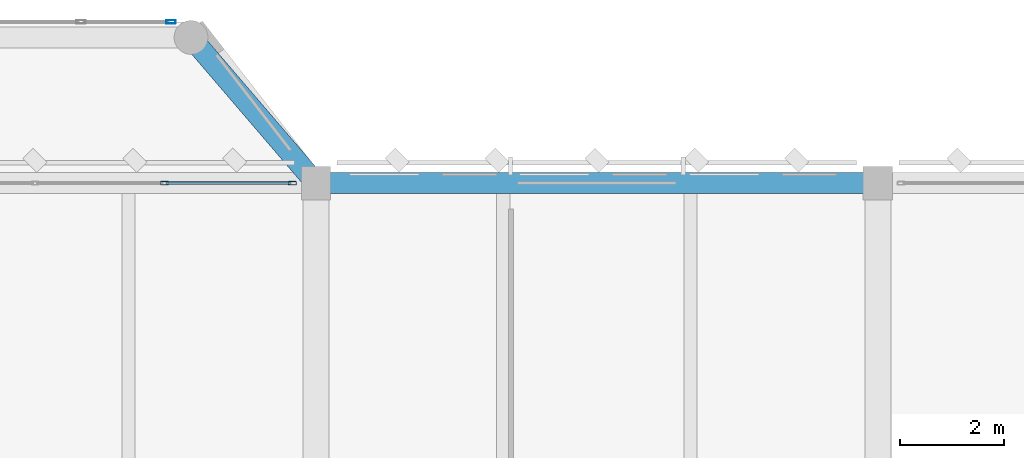
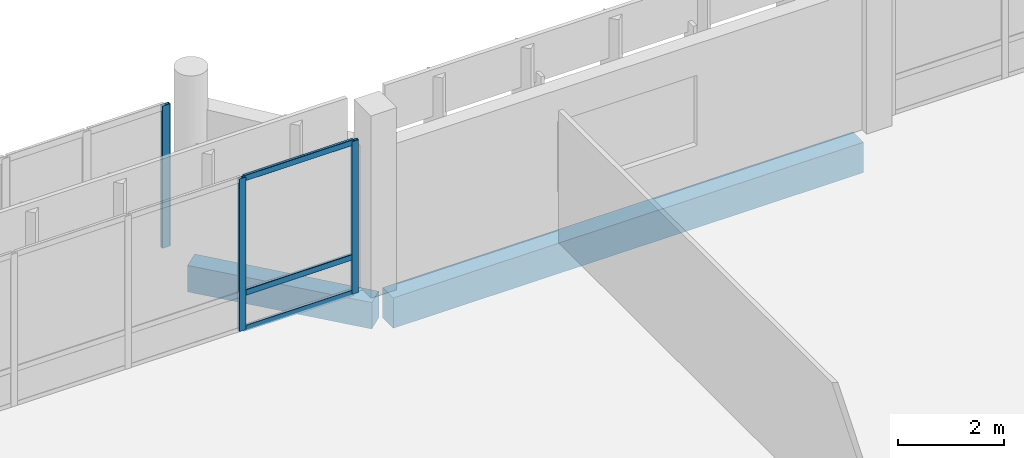
# One storey, part 51 of 158: 6 members, 2 beams, 2 elements without a shape of their own.
"""IFC4 building model written with IfcOpenShell, lengths in metres."""

from ifc_helpers import new_model, si_unit, direction, frame, origin, origin_2d, place, context, subcontext, project, spatial, rectangle, hollow_rectangle, extrude, material, material_profile, profile_set, type_object, element, aggregate, save


model = new_model("IFC4")

# Units and contexts
model_context = context("Model", 3, precision=1e-05, world=origin(), true_north=direction((0.0, 1.0)))
body_context = subcontext(model_context, "Body", "Model", "MODEL_VIEW")
ifc_project = project(units=[si_unit("LENGTHUNIT", "METRE"), si_unit("AREAUNIT", "SQUARE_METRE"), si_unit("VOLUMEUNIT", "CUBIC_METRE"), si_unit("PLANEANGLEUNIT", "RADIAN"), si_unit("MASSUNIT", "GRAM", prefix="KILO")], contexts=[model_context])

# Site, building, storey
site_placement = place(None, origin())
site = spatial("IfcSite", under=ifc_project, at=site_placement, CompositionType="ELEMENT")
building_placement = place(site_placement, origin())
building = spatial("IfcBuilding", under=site, at=building_placement, Name="Lusvemor Sports Hall", CompositionType="ELEMENT")
storey_placement = place(building_placement, frame((0.0, 0.0, 10.800048828125)))
storey = spatial("IfcBuildingStorey", under=building, at=storey_placement, Name="L02", CompositionType="ELEMENT", Elevation=10.800048828125)

# Curtain wall, member
ifc_material_1 = material(Name="Thermally broken bronze-anodized aluminium", Category="aluminium")
curtain_wall_type_1 = type_object("IfcCurtainWallType", Name="CW_FOYER_A", PredefinedType="NOTDEFINED", material=ifc_material_1)
curtain_wall_1_placement = place(storey_placement, origin())
curtain_wall_1 = element("IfcCurtainWall", 1, at=curtain_wall_1_placement, inside=storey, type_object=curtain_wall_type_1, Name="Curtain Wall CW-BOW-N1-L02-M", PredefinedType="NOTDEFINED")
ifc_material_2 = material(Name="Thermally broken bronze-anodized aluminium", Category="aluminium")
ifc_material_profile_1 = material_profile(ifc_material_2, hollow_rectangle(XDim=0.070068359375, YDim=0.179931640625, WallThickness=0.0048828125, InnerFilletRadius=0.0048828125, OuterFilletRadius=0.010009765625, at=origin_2d()), Name="CWMUL180x70x5")
ifc_profile_set_1 = profile_set([ifc_material_profile_1], Name="Thermally broken bronze-anodized aluminium")
member_type_1 = type_object("IfcMemberType", Name="CW_MUL_A", PredefinedType="MULLION", material=ifc_profile_set_1)
member_1_placement = place(storey_placement, frame((29.614990234375, 118.300048828125, 0.0), z_axis=(0.0, 0.0, 1.0), x_axis=(0.0, 1.0, 0.0)))
member_1 = element("IfcMember", 2, at=member_1_placement, type_object=member_type_1, Name="CW01 mullion 4", PredefinedType="MULLION", context=body_context, shape_type="SweptSolid", body=[
    extrude(hollow_rectangle(XDim=0.070068359375, YDim=0.179931640625, WallThickness=0.0048828125, InnerFilletRadius=0.0048828125, OuterFilletRadius=0.010009765625, at=origin_2d()), origin(), (0.0, 0.0, 1.0), 3.280029296875),
])
aggregate(curtain_wall_1, [member_1])

# Curtain wall, members
ifc_material_3 = material(Name="Thermally broken bronze-anodized aluminium", Category="aluminium")
curtain_wall_type_2 = type_object("IfcCurtainWallType", Name="CW_WING_B", PredefinedType="NOTDEFINED", material=ifc_material_3)
curtain_wall_2_placement = place(storey_placement, origin())
curtain_wall_2 = element("IfcCurtainWall", 3, at=curtain_wall_2_placement, inside=storey, type_object=curtain_wall_type_2, Name="Curtain Wall CW-L02-N-1-2", PredefinedType="NOTDEFINED")
ifc_material_4 = material(Name="Thermally broken bronze-anodized aluminium", Category="aluminium")
ifc_material_profile_2 = material_profile(ifc_material_4, hollow_rectangle(XDim=0.06494140625, YDim=0.14990234375, WallThickness=0.00390625, InnerFilletRadius=0.00390625, OuterFilletRadius=0.008056640625, at=origin_2d()), Name="CWMUL150x65x4")
ifc_profile_set_2 = profile_set([ifc_material_profile_2], Name="Thermally broken bronze-anodized aluminium")
member_type_2 = type_object("IfcMemberType", Name="CW_MUL_B", PredefinedType="MULLION", material=ifc_profile_set_2)
member_2_placement = place(storey_placement, frame((29.489990234375, 115.199951171875, 0.0), z_axis=(0.0, 0.0, 1.0), x_axis=(0.0, 1.0, 0.0)))
member_2 = element("IfcMember", 4, at=member_2_placement, type_object=member_type_2, Name="CW02 mullion 4", PredefinedType="MULLION", context=body_context, shape_type="SweptSolid", body=[
    extrude(hollow_rectangle(XDim=0.06494140625, YDim=0.14990234375, WallThickness=0.00390625, InnerFilletRadius=0.00390625, OuterFilletRadius=0.008056640625, at=origin_2d()), origin(), (0.0, 0.0, 1.0), 3.52001953125),
])
member_3_placement = place(storey_placement, frame((31.947509765625, 115.199951171875, 0.0), z_axis=(0.0, 0.0, 1.0), x_axis=(0.0, 1.0, 0.0)))
member_3 = element("IfcMember", 5, at=member_3_placement, type_object=member_type_2, Name="CW02 mullion 5", PredefinedType="MULLION", context=body_context, shape_type="SweptSolid", body=[
    extrude(hollow_rectangle(XDim=0.06494140625, YDim=0.14990234375, WallThickness=0.00390625, InnerFilletRadius=0.00390625, OuterFilletRadius=0.008056640625, at=origin_2d()), origin(), (0.0, 0.0, 1.0), 3.52001953125),
])
ifc_material_5 = material(Name="Thermally broken bronze-anodized aluminium", Category="aluminium")
ifc_material_profile_3 = material_profile(ifc_material_5, hollow_rectangle(XDim=0.06005859375, YDim=0.135009765625, WallThickness=0.00390625, InnerFilletRadius=0.00390625, OuterFilletRadius=0.008056640625, at=origin_2d()), Name="CWTRN135x60x4")
ifc_profile_set_3 = profile_set([ifc_material_profile_3], Name="Thermally broken bronze-anodized aluminium")
member_type_3 = type_object("IfcMemberType", Name="CW_TRN_B", PredefinedType="USERDEFINED", material=ifc_profile_set_3)
member_4_placement = place(storey_placement, frame((29.5224609375, 115.199951171875, 0.030029296875), z_axis=(1.0, 0.0, 0.0), x_axis=(0.0, 1.0, 0.0)))
member_4 = element("IfcMember", 6, at=member_4_placement, type_object=member_type_3, Name="CW02 transom 4.1", ObjectType="TRANSOM", PredefinedType="USERDEFINED", context=body_context, shape_type="SweptSolid", body=[
    extrude(hollow_rectangle(XDim=0.06005859375, YDim=0.135009765625, WallThickness=0.00390625, InnerFilletRadius=0.00390625, OuterFilletRadius=0.008056640625, at=origin_2d()), origin(), (0.0, 0.0, 1.0), 2.392578125),
])
member_5_placement = place(storey_placement, frame((29.5224609375, 115.199951171875, 0.849853515625), z_axis=(1.0, 0.0, 0.0), x_axis=(0.0, 1.0, 0.0)))
member_5 = element("IfcMember", 7, at=member_5_placement, type_object=member_type_3, Name="CW02 transom 4.2", ObjectType="TRANSOM", PredefinedType="USERDEFINED", context=body_context, shape_type="SweptSolid", body=[
    extrude(hollow_rectangle(XDim=0.06005859375, YDim=0.135009765625, WallThickness=0.00390625, InnerFilletRadius=0.00390625, OuterFilletRadius=0.008056640625, at=origin_2d()), origin(), (0.0, 0.0, 1.0), 2.392578125),
])
member_6_placement = place(storey_placement, frame((29.5224609375, 115.199951171875, 3.489990234375), z_axis=(1.0, 0.0, 0.0), x_axis=(0.0, 1.0, 0.0)))
member_6 = element("IfcMember", 8, at=member_6_placement, type_object=member_type_3, Name="CW02 transom 4.3", ObjectType="TRANSOM", PredefinedType="USERDEFINED", context=body_context, shape_type="SweptSolid", body=[
    extrude(hollow_rectangle(XDim=0.06005859375, YDim=0.135009765625, WallThickness=0.00390625, InnerFilletRadius=0.00390625, OuterFilletRadius=0.008056640625, at=origin_2d()), origin(), (0.0, 0.0, 1.0), 2.392578125),
])
aggregate(curtain_wall_2, [member_2, member_3, member_4, member_5, member_6])

# Beams
ifc_material_6 = material(Name="Concrete C40/50", Category="concrete")
ifc_material_profile_4 = material_profile(ifc_material_6, rectangle(XDim=0.39990234375, YDim=0.610107421875, at=origin_2d()), Name="RC400x610")
ifc_profile_set_4 = profile_set([ifc_material_profile_4], Name="Concrete C40/50")
beam_type_1 = type_object("IfcBeamType", Name="SPAND_EXT_650", PredefinedType="SPANDREL", material=ifc_profile_set_4)
beam_1_placement = place(storey_placement, frame((30.0, 118.0, -0.56494140625), z_axis=(0.650769565339, -0.759275294494, 0.0), x_axis=(0.759275294494, 0.650769565339, 0.0)))
element("IfcBeam", 9, at=beam_1_placement, inside=storey, type_object=beam_type_1, Name="Bow Pavilion Edge Beam BOW-N1 L02-3", PredefinedType="SPANDREL", context=body_context, shape_type="SweptSolid", body=[
    extrude(rectangle(XDim=0.39990234375, YDim=0.610107421875, at=origin_2d()), origin(), (0.0, 0.0, 1.0), 3.687744140625),
])
ifc_material_7 = material(Name="Concrete C40/50", Category="concrete")
ifc_material_profile_5 = material_profile(ifc_material_7, rectangle(XDim=0.39990234375, YDim=0.699951171875, at=origin_2d()), Name="RC400x700")
ifc_profile_set_5 = profile_set([ifc_material_profile_5], Name="Concrete C40/50")
beam_type_2 = type_object("IfcBeamType", Name="SPAND_EXT_700", PredefinedType="SPANDREL", material=ifc_profile_set_5)
beam_2_placement = place(storey_placement, frame((32.676025390625, 115.199951171875, -0.610107421875), z_axis=(1.0, 0.0, 0.0), x_axis=(0.0, 1.0, 0.0)))
element("IfcBeam", 10, at=beam_2_placement, inside=storey, type_object=beam_type_2, Name="Beam L02 Q:4-5", PredefinedType="SPANDREL", context=body_context, shape_type="SweptSolid", body=[
    extrude(rectangle(XDim=0.39990234375, YDim=0.699951171875, at=origin_2d()), origin(), (0.0, 0.0, 1.0), 10.248046875),
])

save(model, "model.ifc")
